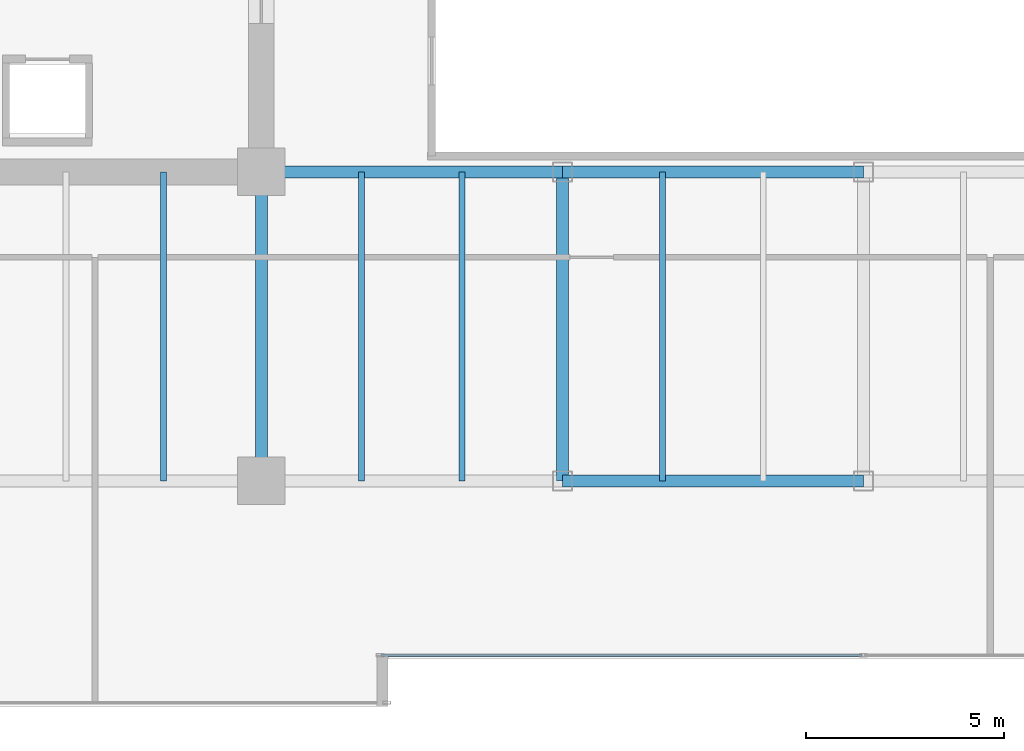
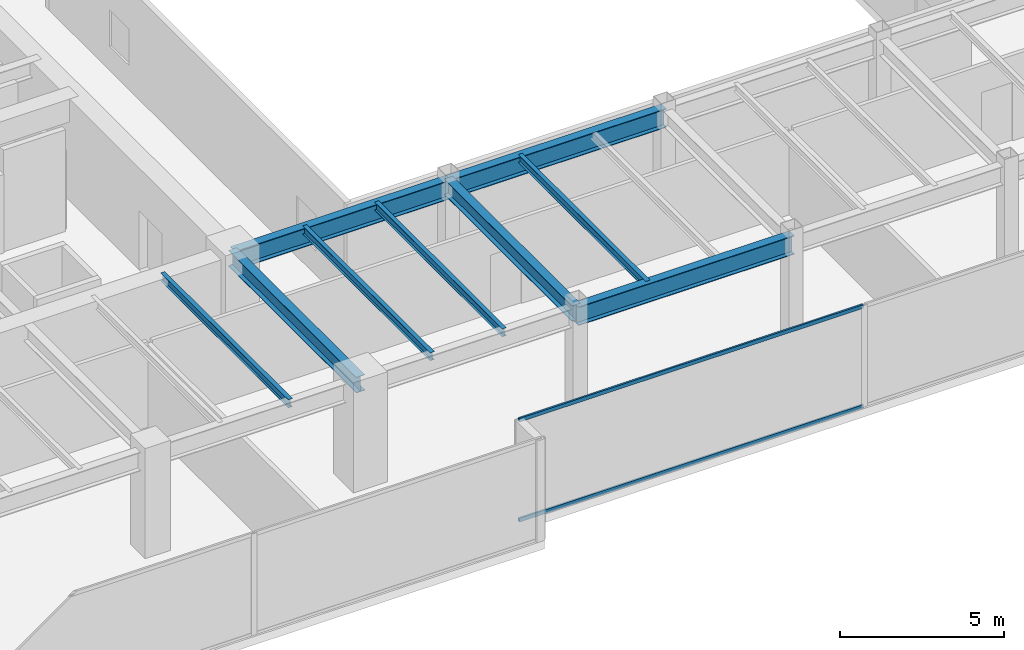
# One storey, part 5 of 30: 9 beams, 2 members, 1 element without a shape of its own.
"""IFC4 building model written with IfcOpenShell, lengths in metres."""

from ifc_helpers import new_model, si_unit, direction, frame, origin, origin_2d, place, context, subcontext, project, spatial, hollow_rectangle, i_section, extrude, source, transform, mapped, material, layer, layer_set, material_profile, profile_set, type_object, type_shapes, element, aggregate, save


model = new_model("IFC4")

# Units and contexts
model_context = context("Model", 3, precision=1e-05, world=origin(), true_north=direction((0.0, 1.0)))
body_context = subcontext(model_context, "Body", "Model", "MODEL_VIEW")
ifc_project = project(units=[si_unit("LENGTHUNIT", "METRE"), si_unit("AREAUNIT", "SQUARE_METRE"), si_unit("VOLUMEUNIT", "CUBIC_METRE"), si_unit("PLANEANGLEUNIT", "RADIAN"), si_unit("MASSUNIT", "GRAM", prefix="KILO")], contexts=[model_context])

# Site, building, storey
site_placement = place(None, origin())
site = spatial("IfcSite", under=ifc_project, at=site_placement, CompositionType="ELEMENT")
building_placement = place(site_placement, origin())
building = spatial("IfcBuilding", under=site, at=building_placement, Name="Haelvirn Gate Laboratories", CompositionType="ELEMENT")
storey_placement = place(building_placement, frame((0.0, 0.0, 170.699951171875)))
storey = spatial("IfcBuildingStorey", under=building, at=storey_placement, Name="L41", CompositionType="ELEMENT", Elevation=170.699951171875)

# Beams
ifc_material_1 = material(Name="Steel SM355", Category="steel")
ifc_material_profile_1 = material_profile(ifc_material_1, i_section(OverallWidth=0.300048828125, OverallDepth=0.699951171875, WebThickness=0.012939453125, FlangeThickness=0.02392578125, at=origin_2d()), Name="H-700x300x13x24")
ifc_profile_set_1 = profile_set([ifc_material_profile_1], Name="Steel SM355")
beam_type_1 = type_object("IfcBeamType", Name="BM-G-700", PredefinedType="BEAM", material=ifc_profile_set_1)
shared_shape_1 = source(origin(), body_context, "Body", "SweptSolid", [
    extrude(i_section(OverallWidth=0.300048828125, OverallDepth=0.699951171875, WebThickness=0.012939453125, FlangeThickness=0.02392578125, at=origin_2d()), origin(), (0.0, 0.0, 1.0), 7.60009765625),
])
beam_placement = place(storey_placement, frame((22.199951171875, 14.800048828125, 3.43994140625), z_axis=(1.0, 0.0, 0.0), x_axis=(0.0, 1.0, 0.0)))
element("IfcBeam", 1, at=beam_placement, inside=storey, type_object=beam_type_1, Name="L41 Primary Girder Y14.8 (22.2-29.8)", PredefinedType="BEAM", context=body_context, shape_type="MappedRepresentation", body=[
    mapped(shared_shape_1, transform((0.0, 0.0, 0.0), scale=1.0)),
])
shared_shape_2 = source(origin(), body_context, "Body", "SweptSolid", [
    extrude(i_section(OverallWidth=0.300048828125, OverallDepth=0.699951171875, WebThickness=0.012939453125, FlangeThickness=0.02392578125, at=origin_2d()), origin(), (0.0, 0.0, 1.0), 7.599853515625),
])
type_shapes(beam_type_1, [shared_shape_1, shared_shape_2])
for number, where, z_axis, x_axis, name in (
    (2, (29.800048828125, 7.0, 3.43994140625), (1.0, 0.0, 0.0), (0.0, 1.0, 0.0), "L41 Primary Girder Y7.0 (29.8-37.4)"),
    (3, (29.800048828125, 14.800048828125, 3.43994140625), (1.0, 0.0, 0.0), (0.0, 1.0, 0.0), "L41 Primary Girder Y14.8 (29.8-37.4)"),
):
    element("IfcBeam", number, at=place(storey_placement, frame(where, z_axis=z_axis, x_axis=x_axis)), inside=storey, type_object=beam_type_1, Name=name, PredefinedType="BEAM", context=body_context, shape_type="MappedRepresentation", body=[
        mapped(shared_shape_2, transform((0.0, 0.0, 0.0), scale=1.0)),
    ])
ifc_material_profile_2 = material_profile(ifc_material_1, i_section(OverallWidth=0.14990234375, OverallDepth=0.300048828125, WebThickness=0.006591796875, FlangeThickness=0.009033203125, at=origin_2d()), Name="H-300x150x6.5x9")
ifc_profile_set_2 = profile_set([ifc_material_profile_2], Name="Steel SM355")
beam_type_2 = type_object("IfcBeamType", Name="BM-J-300", PredefinedType="JOIST", material=ifc_profile_set_2)
shared_shape_3 = source(origin(), body_context, "Body", "SweptSolid", [
    extrude(i_section(OverallWidth=0.14990234375, OverallDepth=0.300048828125, WebThickness=0.006591796875, FlangeThickness=0.009033203125, at=origin_2d()), origin(), (0.0, 0.0, 1.0), 7.800048828125),
])
type_shapes(beam_type_2, [shared_shape_3])
for number, where, z_axis, x_axis, name in (
    (4, (19.72998046875, 7.0, 3.64013671875), (0.0, 1.0, 0.0), (-1.0, 0.0, 0.0), "L41 Composite Lab Joist South X19.73"),
    (5, (24.72998046875, 7.0, 3.64013671875), (0.0, 1.0, 0.0), (-1.0, 0.0, 0.0), "L41 Composite Lab Joist South X24.73"),
    (6, (27.27001953125, 7.0, 3.64013671875), (0.0, 1.0, 0.0), (-1.0, 0.0, 0.0), "L41 Composite Lab Joist South X27.27"),
    (7, (32.330078125, 7.0, 3.64013671875), (0.0, 1.0, 0.0), (-1.0, 0.0, 0.0), "L41 Composite Lab Joist South X32.33"),
):
    element("IfcBeam", number, at=place(storey_placement, frame(where, z_axis=z_axis, x_axis=x_axis)), inside=storey, type_object=beam_type_2, Name=name, PredefinedType="JOIST", context=body_context, shape_type="MappedRepresentation", body=[
        mapped(shared_shape_3, transform((0.0, 0.0, 0.0), scale=1.0)),
    ])
ifc_material_profile_3 = material_profile(ifc_material_1, i_section(OverallWidth=0.300048828125, OverallDepth=0.587890625, WebThickness=0.011962890625, FlangeThickness=0.02001953125, at=origin_2d()), Name="H-588x300x12x20")
ifc_profile_set_3 = profile_set([ifc_material_profile_3], Name="Steel SM355")
beam_type_3 = type_object("IfcBeamType", Name="BM-G-588", PredefinedType="BEAM", material=ifc_profile_set_3)
shared_shape_4 = source(origin(), body_context, "Body", "SweptSolid", [
    extrude(i_section(OverallWidth=0.300048828125, OverallDepth=0.587890625, WebThickness=0.011962890625, FlangeThickness=0.02001953125, at=origin_2d()), origin(), (0.0, 0.0, 1.0), 7.800048828125),
])
type_shapes(beam_type_3, [shared_shape_4])
for number, where, z_axis, x_axis, name in (
    (8, (22.199951171875, 7.0, 3.49609375), (0.0, 1.0, 0.0), (-1.0, 0.0, 0.0), "L41 Frame Girder X22.2 (7.0-14.8)"),
    (9, (29.800048828125, 7.0, 3.49609375), (0.0, 1.0, 0.0), (-1.0, 0.0, 0.0), "L41 Frame Girder X29.8 (7.0-14.8)"),
):
    element("IfcBeam", number, at=place(storey_placement, frame(where, z_axis=z_axis, x_axis=x_axis)), inside=storey, type_object=beam_type_3, Name=name, PredefinedType="BEAM", context=body_context, shape_type="MappedRepresentation", body=[
        mapped(shared_shape_4, transform((0.0, 0.0, 0.0), scale=1.0)),
    ])

# Curtain wall, members
ifc_material_2 = material(Name="Anodised bronze unitised aluminium & triple low-E glass", Category="aluminium")
ifc_layer = layer(ifc_material_2, 0.179931640625, Name="CW-SYS-3")
ifc_layer_set = layer_set([ifc_layer], Name="Anodised bronze unitised aluminium & triple low-E glass")
curtain_wall_type = type_object("IfcCurtainWallType", Name="CW-SYS-3", PredefinedType="NOTDEFINED", material=ifc_layer_set)
curtain_wall_placement = place(storey_placement, origin())
curtain_wall = element("IfcCurtainWall", 10, at=curtain_wall_placement, inside=storey, type_object=curtain_wall_type, Name="L41 Unitised Curtain Wall CW-L41-P0-E02-1", PredefinedType="NOTDEFINED")
ifc_material_3 = material(Name="Extruded aluminium 6063-T6 (anodised bronze)", Category="aluminium")
ifc_material_profile_4 = material_profile(ifc_material_3, hollow_rectangle(XDim=0.06494140625, YDim=0.139892578125, WallThickness=0.00390625, at=origin_2d()), Name="CWT-140x65x4")
ifc_profile_set_4 = profile_set([ifc_material_profile_4], Name="Extruded aluminium 6063-T6 (anodised bronze)")
member_type = type_object("IfcMemberType", Name="CWT-T140", PredefinedType="USERDEFINED", material=ifc_profile_set_4)
shared_shape_5 = source(origin(), body_context, "Body", "SweptSolid", [
    extrude(hollow_rectangle(XDim=0.06494140625, YDim=0.139892578125, WallThickness=0.00390625, at=origin_2d()), origin(), (0.0, 0.0, 1.0), 12.12744140625),
])
type_shapes(member_type, [shared_shape_5])
member_1_placement = place(storey_placement, frame((25.235107421875, 2.60009765625, 0.032470703125), z_axis=(1.0, 0.0, 0.0), x_axis=(0.0, 1.0, 0.0)))
member_1 = element("IfcMember", 11, at=member_1_placement, type_object=member_type, Name="CW3 transom 1.1", ObjectType="TRANSOM", PredefinedType="USERDEFINED", context=body_context, shape_type="MappedRepresentation", body=[
    mapped(shared_shape_5, transform((0.0, 0.0, 0.0), scale=1.0)),
])
member_2_placement = place(storey_placement, frame((25.235107421875, 2.60009765625, 3.757568359375), z_axis=(1.0, 0.0, 0.0), x_axis=(0.0, 1.0, 0.0)))
member_2 = element("IfcMember", 12, at=member_2_placement, type_object=member_type, Name="CW3 transom 1.2", ObjectType="TRANSOM", PredefinedType="USERDEFINED", context=body_context, shape_type="MappedRepresentation", body=[
    mapped(shared_shape_5, transform((0.0, 0.0, 0.0), scale=1.0)),
])
aggregate(curtain_wall, [member_1, member_2])

save(model, "model.ifc")
